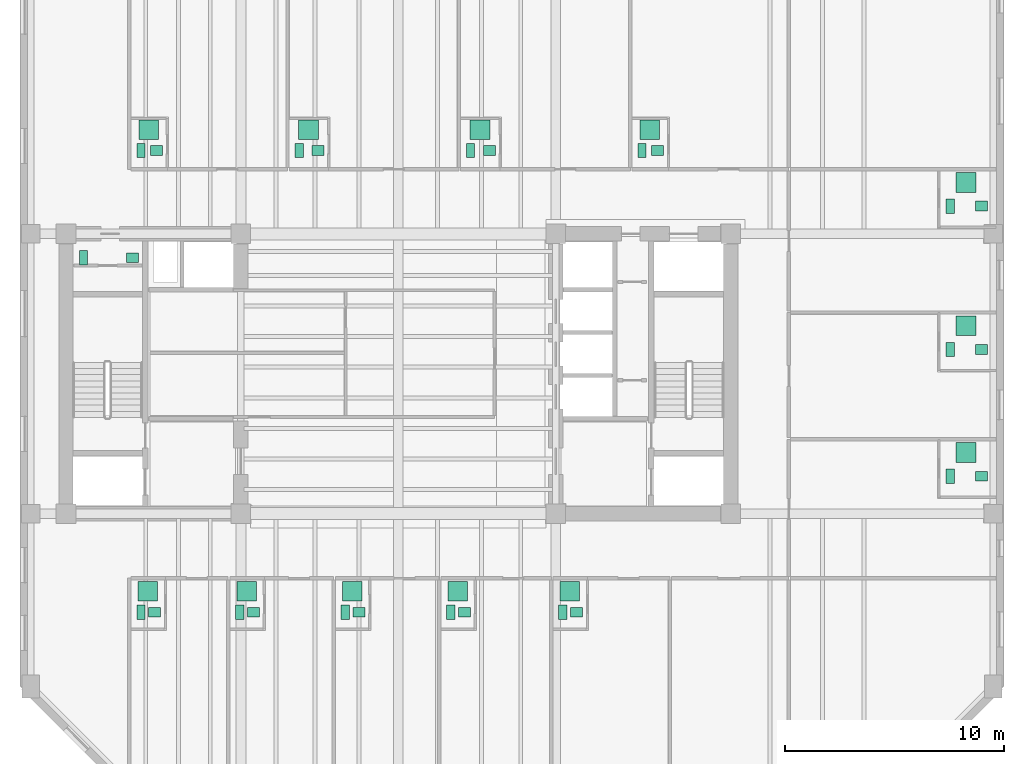
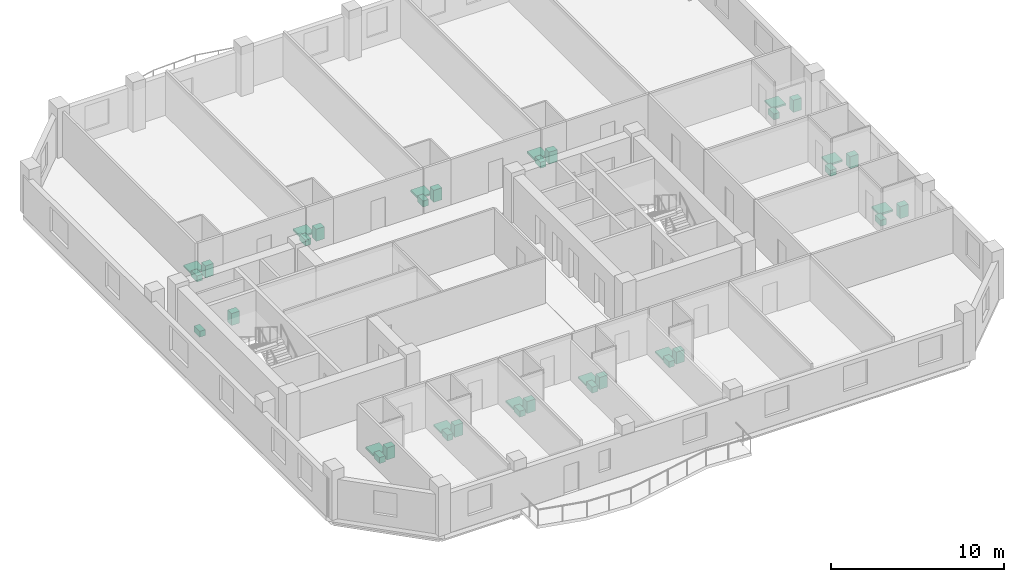
# One storey, part 11 of 11: 38 sanitary terminals.
"""IFC4 building model written with IfcOpenShell, lengths in metres."""

import ifcopenshell
import ifcopenshell.guid

model = None  # the IFC model being written
_history = None  # IfcOwnerHistory: only IFC2X3 demands one
_inside = {}  # id of a spatial element -> (the spatial element, [elements in it])
_under = {}  # id of a project, library or spatial element -> (it, [spatial elements below it])
_declared = {}  # id of a project -> (the project, [libraries it declares])
_typed = {}  # id of a type object -> (the type object, [elements of that type])
_made_of = {}  # id of a material, layer set ... -> (it, [elements and type objects made of it])


def new_model(schema):
    """Start an empty IFC model of exactly this schema.

    Asked for "IFC4X3", IfcOpenShell would pick the latest addendum, in which some entities
    have other attributes; the version numbers below select the first issue.
    IFC2X3 requires an IfcOwnerHistory on every rooted entity: one is made here for all.
    """
    global model, _history
    if schema == "IFC4X3":
        model = ifcopenshell.file(schema_version=(4, 3, 0, 0))
    else:
        model = ifcopenshell.file(schema=schema)
    _inside.clear()
    _under.clear()
    _declared.clear()
    _typed.clear()
    _made_of.clear()
    _history = None
    if model.schema == "IFC2X3":
        org = make("IfcOrganization", Name="unknown")
        user = make(
            "IfcPersonAndOrganization",
            ThePerson=make("IfcPerson", FamilyName="unknown"),
            TheOrganization=org,
        )
        app = make(
            "IfcApplication",
            ApplicationDeveloper=org,
            Version="unknown",
            ApplicationFullName="unknown",
            ApplicationIdentifier="unknown",
        )
        _history = make(
            "IfcOwnerHistory",
            OwningUser=user,
            OwningApplication=app,
            ChangeAction="ADDED",
            CreationDate=0,
        )
    return model


def make(cls, **values):
    """One entity of the class cls with the attributes given. An attribute that is None is left unset."""
    return model.create_entity(
        cls, **{name: value for name, value in values.items() if value is not None}
    )


def rooted(cls, **values):
    """An entity with a GlobalId (a new one), such as an element, a storey or a relation."""
    return make(cls, GlobalId=ifcopenshell.guid.new(), OwnerHistory=_history, **values)


def si_unit(unit_type, name, prefix=None):
    """IfcSIUnit, for example si_unit("LENGTHUNIT", "METRE", prefix="MILLI")."""
    return make("IfcSIUnit", UnitType=unit_type, Prefix=prefix, Name=name)


def assignment(units):
    """IfcUnitAssignment: the units of a project."""
    return None if units is None else make("IfcUnitAssignment", Units=units)


def point(xyz):
    """IfcCartesianPoint."""
    return None if xyz is None else make("IfcCartesianPoint", Coordinates=xyz)


def direction(xyz):
    """IfcDirection."""
    return None if xyz is None else make("IfcDirection", DirectionRatios=xyz)


def frame(location, z_axis=None, x_axis=None):
    """IfcAxis2Placement3D, a coordinate frame: its origin and axes. An axis left out is left unset."""
    return make(
        "IfcAxis2Placement3D",
        Location=point(location),
        Axis=direction(z_axis),
        RefDirection=direction(x_axis),
    )


def frame_2d(location, x_axis=None):
    """IfcAxis2Placement2D, a coordinate frame in the plane: its origin and x axis."""
    return make(
        "IfcAxis2Placement2D", Location=point(location), RefDirection=direction(x_axis)
    )


def origin():
    """The frame at (0, 0, 0) with its axes left unset."""
    return frame((0.0, 0.0, 0.0))


def origin_2d():
    """The frame at (0, 0) in the plane with its x axis left unset."""
    return frame_2d((0.0, 0.0))


def place(relative_to, where):
    """IfcLocalPlacement: puts the frame where relative to a parent placement (None: the world)."""
    return make(
        "IfcLocalPlacement", PlacementRelTo=relative_to, RelativePlacement=where
    )


def context(
    kind, dimensions, precision=None, world=None, true_north=None, identifier=None
):
    """IfcGeometricRepresentationContext, for example the 3D "Model" context."""
    return make(
        "IfcGeometricRepresentationContext",
        ContextIdentifier=identifier,
        ContextType=kind,
        CoordinateSpaceDimension=dimensions,
        Precision=precision,
        WorldCoordinateSystem=world,
        TrueNorth=true_north,
    )


def subcontext(parent, identifier, kind, view, scale=None):
    """IfcGeometricRepresentationSubContext, for example "Body" below "Model"."""
    return make(
        "IfcGeometricRepresentationSubContext",
        ContextIdentifier=identifier,
        ContextType=kind,
        ParentContext=parent,
        TargetScale=scale,
        TargetView=view,
    )


def project(units=None, contexts=None):
    """IfcProject with its units and contexts."""
    return rooted(
        "IfcProject",
        Name="project",
        RepresentationContexts=contexts,
        UnitsInContext=assignment(units),
    )


def spatial(cls, under=None, at=None, **own):
    """A site, building, storey or space (cls), placed at a placement, below another one or the project."""
    s = rooted(cls, ObjectPlacement=at, **own)
    if under is not None:
        _under.setdefault(under.id(), (under, []))[1].append(s)
    return s


def profile(cls, at=None, kind="AREA", **sizes):
    """A parametric profile (cls). Its sizes go by their IFC names, for example OverallWidth=200.0."""
    return make(cls, ProfileType=kind, Position=at, **sizes)


def rectangle(**sizes):
    """IfcRectangleProfileDef."""
    return profile("IfcRectangleProfileDef", **sizes)


def extrude(swept, where, along, depth):
    """IfcExtrudedAreaSolid: the profile swept, set in the frame where, extruded along a direction by depth."""
    return make(
        "IfcExtrudedAreaSolid",
        SweptArea=swept,
        Position=where,
        ExtrudedDirection=direction(along),
        Depth=depth,
    )


def shape(context_of_items, identifier, shape_type, items):
    """IfcShapeRepresentation: the items that make up one representation, for example the "Body"."""
    return make(
        "IfcShapeRepresentation",
        ContextOfItems=context_of_items,
        RepresentationIdentifier=identifier,
        RepresentationType=shape_type,
        Items=items,
    )


def material(Name=None, Category=None):
    """IfcMaterial."""
    return make("IfcMaterial", Name=Name, Category=Category)


def made_of(thing, what):
    """Note that an element or type object is made of a material, layer set ...; save() writes the relation."""
    if what is not None:
        _made_of.setdefault(what.id(), (what, []))[1].append(thing)
    return thing


def type_object(cls, material=None, **own):
    """A type object (cls), such as IfcWallType, which elements share."""
    return made_of(rooted(cls, **own), material)


def element(
    cls,
    number,
    at=None,
    inside=None,
    cuts=None,
    type_object=None,
    material=None,
    context=None,
    identifier="Body",
    shape_type=None,
    held_by="IfcProductDefinitionShape",
    body=None,
    shapes=None,
    **own,
):
    """One element of the class cls, such as IfcWall. Its Tag is "e" and its number.

    at: its placement. inside: the storey or other place that contains it. cuts: it is an
    opening in that element (IfcRelVoidsElement). A single representation is given by context,
    identifier, shape_type and body (its items); several are given by shapes. held_by: the class
    of the entity that holds the representations. save() writes the other relations.
    """
    e = rooted(cls, Tag="e%d" % number, ObjectPlacement=at, **own)
    if body is not None:
        shapes = [shape(context, identifier, shape_type, body)]
    if shapes is not None:
        e.Representation = make(held_by, Representations=shapes)
    if inside is not None:
        _inside.setdefault(inside.id(), (inside, []))[1].append(e)
    if cuts is not None:
        rooted(
            "IfcRelVoidsElement", RelatingBuildingElement=cuts, RelatedOpeningElement=e
        )
    if type_object is not None:
        _typed.setdefault(type_object.id(), (type_object, []))[1].append(e)
    return made_of(e, material)


def aggregate(whole, parts):
    """IfcRelAggregates: a whole, such as a stair, and the parts it consists of."""
    return rooted("IfcRelAggregates", RelatingObject=whole, RelatedObjects=parts)


def save(model, path):
    """Write the relations noted so far, then the file.

    IfcRelAggregates (storeys below a building ...), IfcRelContainedInSpatialStructure (elements
    in a storey), IfcRelDefinesByType, IfcRelAssociatesMaterial and IfcRelDeclares: one each for
    every whole, place, type object, material and project.
    """
    for whole, parts in _under.values():
        aggregate(whole, parts)
    for where, things in _inside.values():
        rooted(
            "IfcRelContainedInSpatialStructure",
            RelatedElements=things,
            RelatingStructure=where,
        )
    for kind, things in _typed.values():
        rooted("IfcRelDefinesByType", RelatedObjects=things, RelatingType=kind)
    for what, things in _made_of.values():
        rooted("IfcRelAssociatesMaterial", RelatedObjects=things, RelatingMaterial=what)
    for by, libraries in _declared.values():
        rooted("IfcRelDeclares", RelatingContext=by, RelatedDefinitions=libraries)
    model.write(path)


model = new_model("IFC4")

# Units and contexts
model_context = context("Model", 3, precision=1e-05, world=origin(), true_north=direction((0.0, 1.0)))
body_context = subcontext(model_context, "Body", "Model", "MODEL_VIEW")
ifc_project = project(units=[si_unit("LENGTHUNIT", "METRE"), si_unit("AREAUNIT", "SQUARE_METRE"), si_unit("VOLUMEUNIT", "CUBIC_METRE"), si_unit("PLANEANGLEUNIT", "RADIAN"), si_unit("MASSUNIT", "GRAM", prefix="KILO")], contexts=[model_context])

# Site, building, storey
site_placement = place(None, origin())
site = spatial("IfcSite", under=ifc_project, at=site_placement, CompositionType="ELEMENT")
building_placement = place(site_placement, origin())
building = spatial("IfcBuilding", under=site, at=building_placement, Name="Kranthara Brick Stack", CompositionType="ELEMENT")
storey_placement = place(building_placement, frame((0.0, 0.0, 172.800048828125)))
storey = spatial("IfcBuildingStorey", under=building, at=storey_placement, Name="L44", CompositionType="ELEMENT", Elevation=172.800048828125)

# Sanitary terminals
ifc_material_1 = material(Name="Vitreous china sanitary porcelain", Category="other")
sanitary_terminal_type_1 = type_object("IfcSanitaryTerminalType", Name="SAN-BASIN", PredefinedType="WASHHANDBASIN", material=ifc_material_1)
for number, where, z_axis, x_axis, name in (
    (1, (15.85009765625, 32.5048828125, 0.0), (0.0, 0.0, 1.0), (1.0, 0.0, 0.0), "L44 Washbasin 219"),
    (2, (16.860107421875, 16.294921875, 0.0), (0.0, 0.0, 1.0), (1.0, 0.0, 0.0), "L44 Washbasin 220"),
    (3, (21.383056640625, 16.294921875, 0.0), (0.0, 0.0, 1.0), (1.0, 0.0, 0.0), "L44 Washbasin 221"),
    (4, (26.20703125, 16.294921875, 0.0), (0.0, 0.0, 1.0), (1.0, 0.0, 0.0), "L44 Washbasin 222"),
    (5, (31.030029296875, 16.294921875, 0.0), (0.0, 0.0, 1.0), (1.0, 0.0, 0.0), "L44 Washbasin 223"),
    (6, (36.156005859375, 16.294921875, 0.0), (0.0, 0.0, 1.0), (1.0, 0.0, 0.0), "L44 Washbasin 224"),
    (7, (16.947021484375, 37.405029296875, 0.0), (0.0, 0.0, 1.0), (1.0, 0.0, 0.0), "L44 Washbasin 225"),
    (8, (24.326904296875, 37.405029296875, 0.0), (0.0, 0.0, 1.0), (1.0, 0.0, 0.0), "L44 Washbasin 226"),
    (9, (32.166015625, 37.405029296875, 0.0), (0.0, 0.0, 1.0), (1.0, 0.0, 0.0), "L44 Washbasin 227"),
    (10, (39.861083984375, 37.405029296875, 0.0), (0.0, 0.0, 1.0), (1.0, 0.0, 0.0), "L44 Washbasin 228"),
    (11, (54.679931640625, 22.514892578125, 0.0), (0.0, 0.0, 1.0), (1.0, 0.0, 0.0), "L44 Washbasin 229"),
    (12, (54.679931640625, 28.31494140625, 0.0), (0.0, 0.0, 1.0), (1.0, 0.0, 0.0), "L44 Washbasin 230"),
    (13, (54.679931640625, 34.864990234375, 0.0), (0.0, 0.0, 1.0), (1.0, 0.0, 0.0), "L44 Washbasin 231"),
):
    element("IfcSanitaryTerminal", number, at=place(storey_placement, frame(where, z_axis=z_axis, x_axis=x_axis)), inside=storey, type_object=sanitary_terminal_type_1, Name=name, PredefinedType="WASHHANDBASIN", context=body_context, shape_type="SweptSolid", body=[
        extrude(rectangle(XDim=0.550048828125, YDim=0.449951171875, at=origin_2d()), origin(), (0.0, 0.0, 1.0), 0.85009765625),
    ])
ifc_material_2 = material(Name="Acrylic and porcelain shower tray", Category="other")
sanitary_terminal_type_2 = type_object("IfcSanitaryTerminalType", Name="SAN-SHOWER", PredefinedType="SHOWER", material=ifc_material_2)
for number, where, z_axis, x_axis, name in (
    (14, (16.544921875, 17.25, 0.0), (0.0, 0.0, 1.0), (1.0, 0.0, 0.0), "L44 Shower Tray 220"),
    (15, (21.068115234375, 17.25, 0.0), (0.0, 0.0, 1.0), (1.0, 0.0, 0.0), "L44 Shower Tray 221"),
    (16, (25.89208984375, 17.25, 0.0), (0.0, 0.0, 1.0), (1.0, 0.0, 0.0), "L44 Shower Tray 222"),
    (17, (30.715087890625, 17.25, 0.0), (0.0, 0.0, 1.0), (1.0, 0.0, 0.0), "L44 Shower Tray 223"),
    (18, (35.841064453125, 17.25, 0.0), (0.0, 0.0, 1.0), (1.0, 0.0, 0.0), "L44 Shower Tray 224"),
    (19, (16.587890625, 38.360107421875, 0.0), (0.0, 0.0, 1.0), (1.0, 0.0, 0.0), "L44 Shower Tray 225"),
    (20, (23.89697265625, 38.360107421875, 0.0), (0.0, 0.0, 1.0), (1.0, 0.0, 0.0), "L44 Shower Tray 226"),
    (21, (31.736083984375, 38.360107421875, 0.0), (0.0, 0.0, 1.0), (1.0, 0.0, 0.0), "L44 Shower Tray 227"),
    (22, (39.501953125, 38.360107421875, 0.0), (0.0, 0.0, 1.0), (1.0, 0.0, 0.0), "L44 Shower Tray 228"),
    (23, (53.9599609375, 23.60009765625, 0.0), (0.0, 0.0, 1.0), (1.0, 0.0, 0.0), "L44 Shower Tray 229"),
    (24, (53.9599609375, 29.39990234375, 0.0), (0.0, 0.0, 1.0), (1.0, 0.0, 0.0), "L44 Shower Tray 230"),
    (25, (53.9599609375, 35.949951171875, 0.0), (0.0, 0.0, 1.0), (1.0, 0.0, 0.0), "L44 Shower Tray 231"),
):
    element("IfcSanitaryTerminal", number, at=place(storey_placement, frame(where, z_axis=z_axis, x_axis=x_axis)), inside=storey, type_object=sanitary_terminal_type_2, Name=name, PredefinedType="SHOWER", context=body_context, shape_type="SweptSolid", body=[
        extrude(rectangle(XDim=0.89990234375, YDim=0.89990234375, at=origin_2d()), origin(), (0.0, 0.0, 1.0), 0.1201171875),
    ])
ifc_material_3 = material(Name="Vitreous china sanitary porcelain", Category="other")
sanitary_terminal_type_3 = type_object("IfcSanitaryTerminalType", Name="SAN-WC-PAN", PredefinedType="TOILETPAN", material=ifc_material_3)
for number, where, z_axis, x_axis, name in (
    (26, (13.60009765625, 32.5048828125, 0.0), (0.0, 0.0, 1.0), (1.0, 0.0, 0.0), "L44 WC Pan 219"),
    (27, (16.22998046875, 16.294921875, 0.0), (0.0, 0.0, 1.0), (1.0, 0.0, 0.0), "L44 WC Pan 220"),
    (28, (20.7529296875, 16.294921875, 0.0), (0.0, 0.0, 1.0), (1.0, 0.0, 0.0), "L44 WC Pan 221"),
    (29, (25.576904296875, 16.294921875, 0.0), (0.0, 0.0, 1.0), (1.0, 0.0, 0.0), "L44 WC Pan 222"),
    (30, (30.39990234375, 16.294921875, 0.0), (0.0, 0.0, 1.0), (1.0, 0.0, 0.0), "L44 WC Pan 223"),
    (31, (35.52587890625, 16.294921875, 0.0), (0.0, 0.0, 1.0), (1.0, 0.0, 0.0), "L44 WC Pan 224"),
    (32, (16.22998046875, 37.405029296875, 0.0), (0.0, 0.0, 1.0), (1.0, 0.0, 0.0), "L44 WC Pan 225"),
    (33, (23.466064453125, 37.405029296875, 0.0), (0.0, 0.0, 1.0), (1.0, 0.0, 0.0), "L44 WC Pan 226"),
    (34, (31.304931640625, 37.405029296875, 0.0), (0.0, 0.0, 1.0), (1.0, 0.0, 0.0), "L44 WC Pan 227"),
    (35, (39.14404296875, 37.405029296875, 0.0), (0.0, 0.0, 1.0), (1.0, 0.0, 0.0), "L44 WC Pan 228"),
    (36, (53.239990234375, 22.514892578125, 0.0), (0.0, 0.0, 1.0), (1.0, 0.0, 0.0), "L44 WC Pan 229"),
    (37, (53.239990234375, 28.31494140625, 0.0), (0.0, 0.0, 1.0), (1.0, 0.0, 0.0), "L44 WC Pan 230"),
    (38, (53.239990234375, 34.864990234375, 0.0), (0.0, 0.0, 1.0), (1.0, 0.0, 0.0), "L44 WC Pan 231"),
):
    element("IfcSanitaryTerminal", number, at=place(storey_placement, frame(where, z_axis=z_axis, x_axis=x_axis)), inside=storey, type_object=sanitary_terminal_type_3, Name=name, PredefinedType="TOILETPAN", context=body_context, shape_type="SweptSolid", body=[
        extrude(rectangle(XDim=0.3798828125, YDim=0.64990234375, at=origin_2d()), origin(), (0.0, 0.0, 1.0), 0.419921875),
    ])

save(model, "model.ifc")
